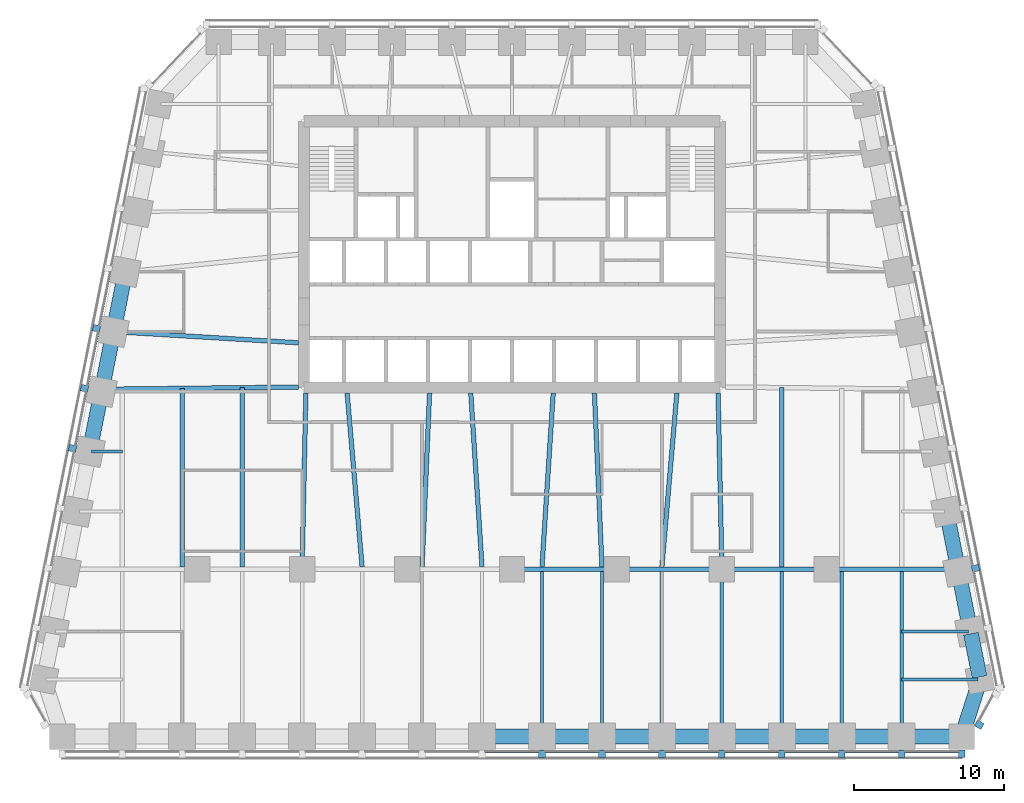
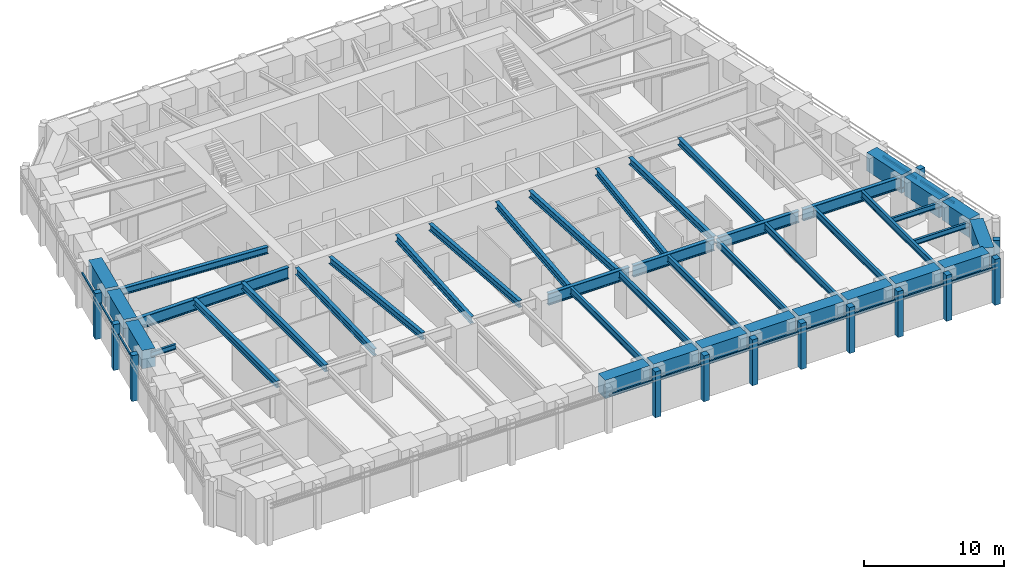
# One storey, part 2 of 10: 42 beams, 26 members, 4 elements without a shape of their own.
"""IFC4 building model written with IfcOpenShell, lengths in metres."""

from ifc_helpers import new_model, si_unit, direction, frame, origin, origin_2d, place, context, subcontext, project, spatial, rectangle, i_section, extrude, material, material_profile, profile_set, type_object, element, aggregate, save


model = new_model("IFC4")

# Units and contexts
model_context = context("Model", 3, precision=1e-05, world=origin(), true_north=direction((0.0, 1.0)))
body_context = subcontext(model_context, "Body", "Model", "MODEL_VIEW")
ifc_project = project(units=[si_unit("LENGTHUNIT", "METRE"), si_unit("AREAUNIT", "SQUARE_METRE"), si_unit("VOLUMEUNIT", "CUBIC_METRE"), si_unit("PLANEANGLEUNIT", "RADIAN"), si_unit("MASSUNIT", "GRAM", prefix="KILO")], contexts=[model_context])

# Site, building, storey
site_placement = place(None, origin())
site = spatial("IfcSite", under=ifc_project, at=site_placement, CompositionType="ELEMENT")
building_placement = place(site_placement, origin())
building = spatial("IfcBuilding", under=site, at=building_placement, Name="Isbrekke Arena Tower", CompositionType="ELEMENT")
storey_placement = place(building_placement, frame((0.0, 0.0, 151.0)))
storey = spatial("IfcBuildingStorey", under=building, at=storey_placement, Name="L34", CompositionType="ELEMENT", Elevation=151.0)

# Beams
ifc_material_1 = material(Name="Steel S355", Category="steel")
ifc_material_profile_1 = material_profile(ifc_material_1, i_section(OverallWidth=0.219970703125, OverallDepth=0.60009765625, WebThickness=0.011962890625, FlangeThickness=0.01904296875, FilletRadius=0.02392578125, at=origin_2d()), Name="IPE 600")
ifc_profile_set_1 = profile_set([ifc_material_profile_1], Name="Steel S355")
beam_type_1 = type_object("IfcBeamType", Name="B1 IPE 600", PredefinedType="BEAM", material=ifc_profile_set_1)
for number, where, z_axis, x_axis, name in (
    (1, (2.0, -17.02490234375, 3.550048828125), (0.0, 1.0, 0.0), (-1.0, 0.0, 0.0), "B1 beam S-S09 L34"),
    (2, (6.0, -17.02490234375, 3.550048828125), (0.0, 1.0, 0.0), (-1.0, 0.0, 0.0), "B1 beam S-S10 L34"),
    (3, (10.0, -17.02490234375, 3.550048828125), (0.0, 1.0, 0.0), (-1.0, 0.0, 0.0), "B1 beam S-S11 L34"),
):
    element("IfcBeam", number, at=place(storey_placement, frame(where, z_axis=z_axis, x_axis=x_axis)), inside=storey, type_object=beam_type_1, Name=name, PredefinedType="BEAM", context=body_context, shape_type="SweptSolid", body=[
        extrude(i_section(OverallWidth=0.219970703125, OverallDepth=0.60009765625, WebThickness=0.011962890625, FlangeThickness=0.01904296875, FilletRadius=0.02392578125, at=origin_2d()), origin(), (0.0, 0.0, 1.0), 10.8740234375),
    ])
beam_1_placement = place(storey_placement, frame((14.0, -17.02490234375, 3.550048828125), z_axis=(0.0, 1.0, 0.0), x_axis=(-1.0, 0.0, 0.0)))
element("IfcBeam", 4, at=beam_1_placement, inside=storey, type_object=beam_type_1, Name="B1 beam S-S12 L34", PredefinedType="BEAM", context=body_context, shape_type="SweptSolid", body=[
    extrude(i_section(OverallWidth=0.219970703125, OverallDepth=0.60009765625, WebThickness=0.011962890625, FlangeThickness=0.01904296875, FilletRadius=0.02392578125, at=origin_2d()), origin(), (0.0, 0.0, 1.0), 10.875),
])
for number, where, z_axis, x_axis, name in (
    (5, (18.0, -17.02490234375, 3.550048828125), (0.0, 1.0, 0.0), (-1.0, 0.0, 0.0), "B1 beam S-S13 L34"),
    (6, (22.0, -17.02490234375, 3.550048828125), (0.0, 1.0, 0.0), (-1.0, 0.0, 0.0), "B1 beam S-S14 L34"),
    (7, (26.0, -17.02490234375, 3.550048828125), (0.0, 1.0, 0.0), (-1.0, 0.0, 0.0), "B1 beam S-S15 L34"),
):
    element("IfcBeam", number, at=place(storey_placement, frame(where, z_axis=z_axis, x_axis=x_axis)), inside=storey, type_object=beam_type_1, Name=name, PredefinedType="BEAM", context=body_context, shape_type="SweptSolid", body=[
        extrude(i_section(OverallWidth=0.219970703125, OverallDepth=0.60009765625, WebThickness=0.011962890625, FlangeThickness=0.01904296875, FilletRadius=0.02392578125, at=origin_2d()), origin(), (0.0, 0.0, 1.0), 10.8740234375),
    ])
ifc_material_2 = material(Name="Steel S355", Category="steel")
ifc_material_profile_2 = material_profile(ifc_material_2, i_section(OverallWidth=0.18994140625, OverallDepth=0.449951171875, WebThickness=0.009521484375, FlangeThickness=0.0146484375, FilletRadius=0.02099609375, at=origin_2d()), Name="IPE 450")
ifc_profile_set_2 = profile_set([ifc_material_profile_2], Name="Steel S355")
beam_type_2 = type_object("IfcBeamType", Name="B2 IPE 450", PredefinedType="BEAM", material=ifc_profile_set_2)
beam_2_placement = place(storey_placement, frame((31.079345703125, -13.352783203125, 3.625), z_axis=(-1.0, 0.0, 0.0), x_axis=(0.0, -1.0, 0.0)))
element("IfcBeam", 8, at=beam_2_placement, inside=storey, type_object=beam_type_2, Name="B2 beam E-E01 L34", PredefinedType="BEAM", context=body_context, shape_type="SweptSolid", body=[
    extrude(i_section(OverallWidth=0.18994140625, OverallDepth=0.449951171875, WebThickness=0.009521484375, FlangeThickness=0.0146484375, FilletRadius=0.02099609375, at=origin_2d()), origin(), (0.0, 0.0, 1.0), 5.079345703125),
])
beam_3_placement = place(storey_placement, frame((30.44091796875, -10.161865234375, 3.625), z_axis=(-1.0, 0.0, 0.0), x_axis=(0.0, -1.0, 0.0)))
element("IfcBeam", 9, at=beam_3_placement, inside=storey, type_object=beam_type_2, Name="B2 beam E-E02 L34", PredefinedType="BEAM", context=body_context, shape_type="SweptSolid", body=[
    extrude(i_section(OverallWidth=0.18994140625, OverallDepth=0.449951171875, WebThickness=0.009521484375, FlangeThickness=0.0146484375, FilletRadius=0.02099609375, at=origin_2d()), origin(), (0.0, 0.0, 1.0), 4.44091796875),
])
beam_4_placement = place(storey_placement, frame((-28.041015625, 1.838134765625, 3.625), z_axis=(1.0, 0.0, 0.0), x_axis=(0.0, 1.0, 0.0)))
element("IfcBeam", 10, at=beam_4_placement, inside=storey, type_object=beam_type_2, Name="B2 beam E-W07 L34", PredefinedType="BEAM", context=body_context, shape_type="SweptSolid", body=[
    extrude(i_section(OverallWidth=0.18994140625, OverallDepth=0.449951171875, WebThickness=0.009521484375, FlangeThickness=0.0146484375, FilletRadius=0.02099609375, at=origin_2d()), origin(), (0.0, 0.0, 1.0), 2.041015625),
])
ifc_material_3 = material(Name="Steel S355", Category="steel")
ifc_material_profile_3 = material_profile(ifc_material_3, i_section(OverallWidth=0.300048828125, OverallDepth=0.60009765625, WebThickness=0.015380859375, FlangeThickness=0.030029296875, FilletRadius=0.027099609375, at=origin_2d()), Name="HEB 600")
ifc_profile_set_3 = profile_set([ifc_material_profile_3], Name="Steel S355")
beam_type_3 = type_object("IfcBeamType", Name="B7 HEB 600", PredefinedType="BEAM", material=ifc_profile_set_3)
beam_5_placement = place(storey_placement, frame((-22.0, -5.84912109375, 3.550048828125), z_axis=(0.0, 1.0, 0.0), x_axis=(-1.0, 0.0, 0.0)))
element("IfcBeam", 11, at=beam_5_placement, inside=storey, type_object=beam_type_3, Name="B7 beam C-M02 L34", PredefinedType="BEAM", context=body_context, shape_type="SweptSolid", body=[
    extrude(i_section(OverallWidth=0.300048828125, OverallDepth=0.60009765625, WebThickness=0.015380859375, FlangeThickness=0.030029296875, FilletRadius=0.027099609375, at=origin_2d()), origin(), (0.0, 0.0, 1.0), 11.91064453125),
])
beam_6_placement = place(storey_placement, frame((-18.0, -5.84912109375, 3.550048828125), z_axis=(0.0, 1.0, 0.0), x_axis=(-1.0, 0.0, 0.0)))
element("IfcBeam", 12, at=beam_6_placement, inside=storey, type_object=beam_type_3, Name="B7 beam C-M03 L34", PredefinedType="BEAM", context=body_context, shape_type="SweptSolid", body=[
    extrude(i_section(OverallWidth=0.300048828125, OverallDepth=0.60009765625, WebThickness=0.015380859375, FlangeThickness=0.030029296875, FilletRadius=0.027099609375, at=origin_2d()), origin(), (0.0, 0.0, 1.0), 11.956298828125),
])
beam_7_placement = place(storey_placement, frame((-14.0, -5.8466796875, 3.550048828125), z_axis=(0.021552887044, 0.999767709551, 0.0), x_axis=(-0.999767709551, 0.021552887044, 0.0)))
element("IfcBeam", 13, at=beam_7_placement, inside=storey, type_object=beam_type_3, Name="B7 beam C-M04 L34", PredefinedType="BEAM", context=body_context, shape_type="SweptSolid", body=[
    extrude(i_section(OverallWidth=0.300048828125, OverallDepth=0.60009765625, WebThickness=0.015380859375, FlangeThickness=0.030029296875, FilletRadius=0.027099609375, at=origin_2d()), origin(), (0.0, 0.0, 1.0), 11.599365234375),
])
beam_8_placement = place(storey_placement, frame((-10.001220703125, -5.836181640625, 3.550048828125), z_axis=(-0.085885827104, 0.996304985786, 0.0), x_axis=(-0.996304985786, -0.085885827104, 0.0)))
element("IfcBeam", 14, at=beam_8_placement, inside=storey, type_object=beam_type_3, Name="B7 beam C-M05 L34", PredefinedType="BEAM", context=body_context, shape_type="SweptSolid", body=[
    extrude(i_section(OverallWidth=0.300048828125, OverallDepth=0.60009765625, WebThickness=0.015380859375, FlangeThickness=0.030029296875, FilletRadius=0.027099609375, at=origin_2d()), origin(), (0.0, 0.0, 1.0), 11.629150390625),
])
beam_9_placement = place(storey_placement, frame((-5.999755859375, -5.842529296875, 3.550048828125), z_axis=(0.043070161667, 0.999072050041, 0.0), x_axis=(-0.999072050041, 0.043070161667, 0.0)))
element("IfcBeam", 15, at=beam_9_placement, inside=storey, type_object=beam_type_3, Name="B7 beam C-M06 L34", PredefinedType="BEAM", context=body_context, shape_type="SweptSolid", body=[
    extrude(i_section(OverallWidth=0.300048828125, OverallDepth=0.60009765625, WebThickness=0.015380859375, FlangeThickness=0.030029296875, FilletRadius=0.027099609375, at=origin_2d()), origin(), (0.0, 0.0, 1.0), 11.603271484375),
])
for number, where, z_axis, x_axis, name in (
    (16, (-2.000732421875, -5.83935546875, 3.550048828125), (-0.064516666031, 0.997916629686, 0.0), (-0.997916629686, -0.064516666031, 0.0), "B7 beam C-M07 L34"),
    (17, (2.000732421875, -5.83935546875, 3.550048828125), (0.064516666031, 0.997916629686, 0.0), (-0.997916629686, 0.064516666031, 0.0), "B7 beam C-M08 L34"),
):
    element("IfcBeam", number, at=place(storey_placement, frame(where, z_axis=z_axis, x_axis=x_axis)), inside=storey, type_object=beam_type_3, Name=name, PredefinedType="BEAM", context=body_context, shape_type="SweptSolid", body=[
        extrude(i_section(OverallWidth=0.300048828125, OverallDepth=0.60009765625, WebThickness=0.015380859375, FlangeThickness=0.030029296875, FilletRadius=0.027099609375, at=origin_2d()), origin(), (0.0, 0.0, 1.0), 11.613525390625),
    ])
beam_10_placement = place(storey_placement, frame((5.999755859375, -5.842529296875, 3.550048828125), z_axis=(-0.043070161667, 0.999072050041, 0.0), x_axis=(-0.999072050041, -0.043070161667, 0.0)))
element("IfcBeam", 18, at=beam_10_placement, inside=storey, type_object=beam_type_3, Name="B7 beam C-M09 L34", PredefinedType="BEAM", context=body_context, shape_type="SweptSolid", body=[
    extrude(i_section(OverallWidth=0.300048828125, OverallDepth=0.60009765625, WebThickness=0.015380859375, FlangeThickness=0.030029296875, FilletRadius=0.027099609375, at=origin_2d()), origin(), (0.0, 0.0, 1.0), 11.603271484375),
])
beam_11_placement = place(storey_placement, frame((10.001220703125, -5.836181640625, 3.550048828125), z_axis=(0.085885827104, 0.996304985786, 0.0), x_axis=(-0.996304985786, 0.085885827104, 0.0)))
element("IfcBeam", 19, at=beam_11_placement, inside=storey, type_object=beam_type_3, Name="B7 beam C-M10 L34", PredefinedType="BEAM", context=body_context, shape_type="SweptSolid", body=[
    extrude(i_section(OverallWidth=0.300048828125, OverallDepth=0.60009765625, WebThickness=0.015380859375, FlangeThickness=0.030029296875, FilletRadius=0.027099609375, at=origin_2d()), origin(), (0.0, 0.0, 1.0), 11.629150390625),
])
beam_12_placement = place(storey_placement, frame((14.0, -5.8466796875, 3.550048828125), z_axis=(-0.021552887044, 0.999767709551, 0.0), x_axis=(-0.999767709551, -0.021552887044, 0.0)))
element("IfcBeam", 20, at=beam_12_placement, inside=storey, type_object=beam_type_3, Name="B7 beam C-M11 L34", PredefinedType="BEAM", context=body_context, shape_type="SweptSolid", body=[
    extrude(i_section(OverallWidth=0.300048828125, OverallDepth=0.60009765625, WebThickness=0.015380859375, FlangeThickness=0.030029296875, FilletRadius=0.027099609375, at=origin_2d()), origin(), (0.0, 0.0, 1.0), 11.599365234375),
])
beam_13_placement = place(storey_placement, frame((18.0, -5.84912109375, 3.550048828125), z_axis=(0.0, 1.0, 0.0), x_axis=(-1.0, 0.0, 0.0)))
element("IfcBeam", 21, at=beam_13_placement, inside=storey, type_object=beam_type_3, Name="B7 beam C-M12 L34", PredefinedType="BEAM", context=body_context, shape_type="SweptSolid", body=[
    extrude(i_section(OverallWidth=0.300048828125, OverallDepth=0.60009765625, WebThickness=0.015380859375, FlangeThickness=0.030029296875, FilletRadius=0.027099609375, at=origin_2d()), origin(), (0.0, 0.0, 1.0), 11.956298828125),
])
beam_14_placement = place(storey_placement, frame((-26.431884765625, 9.837646484375, 3.550048828125), z_axis=(0.998172191876, -0.060434057993, 0.0), x_axis=(0.060434057993, 0.998172191876, 0.0)))
element("IfcBeam", 22, at=beam_14_placement, inside=storey, type_object=beam_type_3, Name="B7 beam E-W05 L34", PredefinedType="BEAM", context=body_context, shape_type="SweptSolid", body=[
    extrude(i_section(OverallWidth=0.300048828125, OverallDepth=0.60009765625, WebThickness=0.015380859375, FlangeThickness=0.030029296875, FilletRadius=0.027099609375, at=origin_2d()), origin(), (0.0, 0.0, 1.0), 12.2041015625),
])

# Curtain wall, members
ifc_material_4 = material(Name="Glazed aluminium curtain wall", Category="aluminium")
curtain_wall_type = type_object("IfcCurtainWallType", Name="CWM TOWER CURTAIN WALL MID ZONE", PredefinedType="USERDEFINED", material=ifc_material_4)
curtain_wall_1_placement = place(storey_placement, origin())
curtain_wall_1 = element("IfcCurtainWall", 23, at=curtain_wall_1_placement, inside=storey, type_object=curtain_wall_type, Name="CWM curtain wall L34-S", ObjectType="TOWER CURTAIN WALL MID ZONE", PredefinedType="USERDEFINED")
ifc_material_5 = material(Name="Aluminium mullion, pale brick slip cladding", Category="masonry")
ifc_material_profile_4 = material_profile(ifc_material_5, rectangle(XDim=0.449951171875, YDim=0.5, at=origin_2d()), Name="PIER 450X500")
ifc_profile_set_4 = profile_set([ifc_material_profile_4], Name="Aluminium mullion, pale brick slip cladding")
member_type_1 = type_object("IfcMemberType", Name="CWM-M PIER MULLION 450 x 500", PredefinedType="MULLION", material=ifc_profile_set_4)
member_1_placement = place(storey_placement, frame((2.0, -18.324951171875, 0.0), z_axis=(0.0, 0.0, 1.0), x_axis=(1.0, 0.0, 0.0)))
member_1 = element("IfcMember", 24, at=member_1_placement, type_object=member_type_1, Name="CWM-M mullion 9", PredefinedType="MULLION", context=body_context, shape_type="SweptSolid", body=[
    extrude(rectangle(XDim=0.449951171875, YDim=0.5, at=origin_2d()), origin(), (0.0, 0.0, 1.0), 4.0),
])
member_2_placement = place(storey_placement, frame((6.0, -18.324951171875, 0.0), z_axis=(0.0, 0.0, 1.0), x_axis=(1.0, 0.0, 0.0)))
member_2 = element("IfcMember", 25, at=member_2_placement, type_object=member_type_1, Name="CWM-M mullion 10", PredefinedType="MULLION", context=body_context, shape_type="SweptSolid", body=[
    extrude(rectangle(XDim=0.449951171875, YDim=0.5, at=origin_2d()), origin(), (0.0, 0.0, 1.0), 4.0),
])
member_3_placement = place(storey_placement, frame((10.0, -18.324951171875, 0.0), z_axis=(0.0, 0.0, 1.0), x_axis=(1.0, 0.0, 0.0)))
member_3 = element("IfcMember", 26, at=member_3_placement, type_object=member_type_1, Name="CWM-M mullion 11", PredefinedType="MULLION", context=body_context, shape_type="SweptSolid", body=[
    extrude(rectangle(XDim=0.449951171875, YDim=0.5, at=origin_2d()), origin(), (0.0, 0.0, 1.0), 4.0),
])
member_4_placement = place(storey_placement, frame((14.0, -18.324951171875, 0.0), z_axis=(0.0, 0.0, 1.0), x_axis=(1.0, 0.0, 0.0)))
member_4 = element("IfcMember", 27, at=member_4_placement, type_object=member_type_1, Name="CWM-M mullion 12", PredefinedType="MULLION", context=body_context, shape_type="SweptSolid", body=[
    extrude(rectangle(XDim=0.449951171875, YDim=0.5, at=origin_2d()), origin(), (0.0, 0.0, 1.0), 4.0),
])
member_5_placement = place(storey_placement, frame((18.0, -18.324951171875, 0.0), z_axis=(0.0, 0.0, 1.0), x_axis=(1.0, 0.0, 0.0)))
member_5 = element("IfcMember", 28, at=member_5_placement, type_object=member_type_1, Name="CWM-M mullion 13", PredefinedType="MULLION", context=body_context, shape_type="SweptSolid", body=[
    extrude(rectangle(XDim=0.449951171875, YDim=0.5, at=origin_2d()), origin(), (0.0, 0.0, 1.0), 4.0),
])
member_6_placement = place(storey_placement, frame((22.0, -18.324951171875, 0.0), z_axis=(0.0, 0.0, 1.0), x_axis=(1.0, 0.0, 0.0)))
member_6 = element("IfcMember", 29, at=member_6_placement, type_object=member_type_1, Name="CWM-M mullion 14", PredefinedType="MULLION", context=body_context, shape_type="SweptSolid", body=[
    extrude(rectangle(XDim=0.449951171875, YDim=0.5, at=origin_2d()), origin(), (0.0, 0.0, 1.0), 4.0),
])
member_7_placement = place(storey_placement, frame((26.0, -18.324951171875, 0.0), z_axis=(0.0, 0.0, 1.0), x_axis=(1.0, 0.0, 0.0)))
member_7 = element("IfcMember", 30, at=member_7_placement, type_object=member_type_1, Name="CWM-M mullion 15", PredefinedType="MULLION", context=body_context, shape_type="SweptSolid", body=[
    extrude(rectangle(XDim=0.449951171875, YDim=0.5, at=origin_2d()), origin(), (0.0, 0.0, 1.0), 4.0),
])
member_8_placement = place(storey_placement, frame((30.0, -18.324951171875, 0.0), z_axis=(0.0, 0.0, 1.0), x_axis=(1.0, 0.0, 0.0)))
member_8 = element("IfcMember", 31, at=member_8_placement, type_object=member_type_1, Name="CWM-M mullion 16", PredefinedType="MULLION", context=body_context, shape_type="SweptSolid", body=[
    extrude(rectangle(XDim=0.449951171875, YDim=0.5, at=origin_2d()), origin(), (0.0, 0.0, 1.0), 4.0),
])

# Curtain wall, member
curtain_wall_2_placement = place(storey_placement, origin())
curtain_wall_2 = element("IfcCurtainWall", 32, at=curtain_wall_2_placement, inside=storey, type_object=curtain_wall_type, Name="CWM curtain wall L34-SE", ObjectType="TOWER CURTAIN WALL MID ZONE", PredefinedType="USERDEFINED")
member_9_placement = place(storey_placement, frame((31.17529296875, -16.382080078125, 0.0), z_axis=(0.0, 0.0, 1.0), x_axis=(0.481918749773, 0.876215908676, 0.0)))
member_9 = element("IfcMember", 33, at=member_9_placement, type_object=member_type_1, Name="CWM-M mullion 1", PredefinedType="MULLION", context=body_context, shape_type="SweptSolid", body=[
    extrude(rectangle(XDim=0.449951171875, YDim=0.5, at=origin_2d()), origin(), (0.0, 0.0, 1.0), 4.0),
])
aggregate(curtain_wall_2, [member_9])

curtain_wall_3_placement = place(storey_placement, origin())
curtain_wall_3 = element("IfcCurtainWall", 34, at=curtain_wall_3_placement, inside=storey, type_object=curtain_wall_type, Name="CWM curtain wall L34-E", ObjectType="TOWER CURTAIN WALL MID ZONE", PredefinedType="USERDEFINED")
member_10_placement = place(storey_placement, frame((30.918701171875, -5.936279296875, 0.0), z_axis=(0.0, 0.0, 1.0), x_axis=(-0.196116135138, 0.980580675691, 0.0)))
member_10 = element("IfcMember", 35, at=member_10_placement, type_object=member_type_1, Name="CWM-M mullion 3", PredefinedType="MULLION", context=body_context, shape_type="SweptSolid", body=[
    extrude(rectangle(XDim=0.449951171875, YDim=0.5, at=origin_2d()), origin(), (0.0, 0.0, 1.0), 4.0),
])

# Curtain wall, members
curtain_wall_4_placement = place(storey_placement, origin())
curtain_wall_4 = element("IfcCurtainWall", 36, at=curtain_wall_4_placement, inside=storey, type_object=curtain_wall_type, Name="CWM curtain wall L34-W", ObjectType="TOWER CURTAIN WALL MID ZONE", PredefinedType="USERDEFINED")
member_11_placement = place(storey_placement, frame((-27.71875, 10.063720703125, 0.0), z_axis=(0.0, 0.0, 1.0), x_axis=(-0.196116135138, -0.980580675691, 0.0)))
member_11 = element("IfcMember", 37, at=member_11_placement, type_object=member_type_1, Name="CWM-M mullion 5", PredefinedType="MULLION", context=body_context, shape_type="SweptSolid", body=[
    extrude(rectangle(XDim=0.449951171875, YDim=0.5, at=origin_2d()), origin(), (0.0, 0.0, 1.0), 4.0),
])
member_12_placement = place(storey_placement, frame((-28.518798828125, 6.063720703125, 0.0), z_axis=(0.0, 0.0, 1.0), x_axis=(-0.196116135138, -0.980580675691, 0.0)))
member_12 = element("IfcMember", 38, at=member_12_placement, type_object=member_type_1, Name="CWM-M mullion 6", PredefinedType="MULLION", context=body_context, shape_type="SweptSolid", body=[
    extrude(rectangle(XDim=0.449951171875, YDim=0.5, at=origin_2d()), origin(), (0.0, 0.0, 1.0), 4.0),
])
member_13_placement = place(storey_placement, frame((-29.318603515625, 2.063720703125, 0.0), z_axis=(0.0, 0.0, 1.0), x_axis=(-0.196116135138, -0.980580675691, 0.0)))
member_13 = element("IfcMember", 39, at=member_13_placement, type_object=member_type_1, Name="CWM-M mullion 7", PredefinedType="MULLION", context=body_context, shape_type="SweptSolid", body=[
    extrude(rectangle(XDim=0.449951171875, YDim=0.5, at=origin_2d()), origin(), (0.0, 0.0, 1.0), 4.0),
])

# Member
ifc_material_6 = material(Name="Aluminium transom", Category="aluminium")
ifc_material_profile_5 = material_profile(ifc_material_6, rectangle(XDim=0.1201171875, YDim=0.199951171875, at=origin_2d()), Name="TRANSOM 120X200")
ifc_profile_set_5 = profile_set([ifc_material_profile_5], Name="Aluminium transom")
member_type_2 = type_object("IfcMemberType", Name="CWM-T TRANSOM 120 x 200", PredefinedType="USERDEFINED", material=ifc_profile_set_5)
member_14_placement = place(storey_placement, frame((-1.77490234375, -18.175048828125, 3.0), z_axis=(1.0, 0.0, 0.0), x_axis=(0.0, 1.0, 0.0)))
member_14 = element("IfcMember", 40, at=member_14_placement, type_object=member_type_2, Name="CWM-T transom 8", ObjectType="TRANSOM", PredefinedType="USERDEFINED", context=body_context, shape_type="SweptSolid", body=[
    extrude(rectangle(XDim=0.1201171875, YDim=0.199951171875, at=origin_2d()), origin(), (0.0, 0.0, 1.0), 3.5498046875),
])

member_15_placement = place(storey_placement, frame((2.22509765625, -18.175048828125, 3.0), z_axis=(1.0, 0.0, 0.0), x_axis=(0.0, 1.0, 0.0)))
member_15 = element("IfcMember", 41, at=member_15_placement, type_object=member_type_2, Name="CWM-T transom 9", ObjectType="TRANSOM", PredefinedType="USERDEFINED", context=body_context, shape_type="SweptSolid", body=[
    extrude(rectangle(XDim=0.1201171875, YDim=0.199951171875, at=origin_2d()), origin(), (0.0, 0.0, 1.0), 3.5498046875),
])

member_16_placement = place(storey_placement, frame((6.22509765625, -18.175048828125, 3.0), z_axis=(1.0, 0.0, 0.0), x_axis=(0.0, 1.0, 0.0)))
member_16 = element("IfcMember", 42, at=member_16_placement, type_object=member_type_2, Name="CWM-T transom 10", ObjectType="TRANSOM", PredefinedType="USERDEFINED", context=body_context, shape_type="SweptSolid", body=[
    extrude(rectangle(XDim=0.1201171875, YDim=0.199951171875, at=origin_2d()), origin(), (0.0, 0.0, 1.0), 3.5498046875),
])

member_17_placement = place(storey_placement, frame((10.22509765625, -18.175048828125, 3.0), z_axis=(1.0, 0.0, 0.0), x_axis=(0.0, 1.0, 0.0)))
member_17 = element("IfcMember", 43, at=member_17_placement, type_object=member_type_2, Name="CWM-T transom 11", ObjectType="TRANSOM", PredefinedType="USERDEFINED", context=body_context, shape_type="SweptSolid", body=[
    extrude(rectangle(XDim=0.1201171875, YDim=0.199951171875, at=origin_2d()), origin(), (0.0, 0.0, 1.0), 3.5498046875),
])

member_18_placement = place(storey_placement, frame((14.22509765625, -18.175048828125, 3.0), z_axis=(1.0, 0.0, 0.0), x_axis=(0.0, 1.0, 0.0)))
member_18 = element("IfcMember", 44, at=member_18_placement, type_object=member_type_2, Name="CWM-T transom 12", ObjectType="TRANSOM", PredefinedType="USERDEFINED", context=body_context, shape_type="SweptSolid", body=[
    extrude(rectangle(XDim=0.1201171875, YDim=0.199951171875, at=origin_2d()), origin(), (0.0, 0.0, 1.0), 3.5498046875),
])

member_19_placement = place(storey_placement, frame((18.22509765625, -18.175048828125, 3.0), z_axis=(1.0, 0.0, 0.0), x_axis=(0.0, 1.0, 0.0)))
member_19 = element("IfcMember", 45, at=member_19_placement, type_object=member_type_2, Name="CWM-T transom 13", ObjectType="TRANSOM", PredefinedType="USERDEFINED", context=body_context, shape_type="SweptSolid", body=[
    extrude(rectangle(XDim=0.1201171875, YDim=0.199951171875, at=origin_2d()), origin(), (0.0, 0.0, 1.0), 3.5498046875),
])

member_20_placement = place(storey_placement, frame((22.22509765625, -18.175048828125, 3.0), z_axis=(1.0, 0.0, 0.0), x_axis=(0.0, 1.0, 0.0)))
member_20 = element("IfcMember", 46, at=member_20_placement, type_object=member_type_2, Name="CWM-T transom 14", ObjectType="TRANSOM", PredefinedType="USERDEFINED", context=body_context, shape_type="SweptSolid", body=[
    extrude(rectangle(XDim=0.1201171875, YDim=0.199951171875, at=origin_2d()), origin(), (0.0, 0.0, 1.0), 3.5498046875),
])

member_21_placement = place(storey_placement, frame((26.22509765625, -18.175048828125, 3.0), z_axis=(1.0, 0.0, 0.0), x_axis=(0.0, 1.0, 0.0)))
member_21 = element("IfcMember", 47, at=member_21_placement, type_object=member_type_2, Name="CWM-T transom 15", ObjectType="TRANSOM", PredefinedType="USERDEFINED", context=body_context, shape_type="SweptSolid", body=[
    extrude(rectangle(XDim=0.1201171875, YDim=0.199951171875, at=origin_2d()), origin(), (0.0, 0.0, 1.0), 3.5498046875),
])

aggregate(curtain_wall_1, [member_1, member_2, member_3, member_4, member_5, member_6, member_7, member_8, member_14, member_15, member_16, member_17, member_18, member_19, member_20, member_21])

member_22_placement = place(storey_placement, frame((31.527587890625, -9.7451171875, 3.0), z_axis=(-0.196154943734, 0.980572913173, 0.0), x_axis=(-0.980572913173, -0.196154943734, 0.0)))
member_22 = element("IfcMember", 48, at=member_22_placement, type_object=member_type_2, Name="CWM-T transom 2", ObjectType="TRANSOM", PredefinedType="USERDEFINED", context=body_context, shape_type="SweptSolid", body=[
    extrude(rectangle(XDim=0.1201171875, YDim=0.199951171875, at=origin_2d()), origin(), (0.0, 0.0, 1.0), 3.62939453125),
])

member_23_placement = place(storey_placement, frame((30.7275390625, -5.7451171875, 3.0), z_axis=(-0.196154943734, 0.980572913173, 0.0), x_axis=(-0.980572913173, -0.196154943734, 0.0)))
member_23 = element("IfcMember", 49, at=member_23_placement, type_object=member_type_2, Name="CWM-T transom 3", ObjectType="TRANSOM", PredefinedType="USERDEFINED", context=body_context, shape_type="SweptSolid", body=[
    extrude(rectangle(XDim=0.1201171875, YDim=0.199951171875, at=origin_2d()), origin(), (0.0, 0.0, 1.0), 3.62939453125),
])

aggregate(curtain_wall_3, [member_10, member_22, member_23])

member_24_placement = place(storey_placement, frame((-26.815673828125, 13.813720703125, 3.0), z_axis=(-0.196154943734, -0.980572913173, 0.0), x_axis=(0.980572913173, -0.196154943734, 0.0)))
member_24 = element("IfcMember", 50, at=member_24_placement, type_object=member_type_2, Name="CWM-T transom 4", ObjectType="TRANSOM", PredefinedType="USERDEFINED", context=body_context, shape_type="SweptSolid", body=[
    extrude(rectangle(XDim=0.1201171875, YDim=0.199951171875, at=origin_2d()), origin(), (0.0, 0.0, 1.0), 3.62939453125),
])

member_25_placement = place(storey_placement, frame((-27.61572265625, 9.813720703125, 3.0), z_axis=(-0.196090262229, -0.980585849918, 0.0), x_axis=(0.980585849918, -0.196090262229, 0.0)))
member_25 = element("IfcMember", 51, at=member_25_placement, type_object=member_type_2, Name="CWM-T transom 5", ObjectType="TRANSOM", PredefinedType="USERDEFINED", context=body_context, shape_type="SweptSolid", body=[
    extrude(rectangle(XDim=0.1201171875, YDim=0.199951171875, at=origin_2d()), origin(), (0.0, 0.0, 1.0), 3.62939453125),
])

member_26_placement = place(storey_placement, frame((-28.415771484375, 5.813720703125, 3.0), z_axis=(-0.196090262229, -0.980585849918, 0.0), x_axis=(0.980585849918, -0.196090262229, 0.0)))
member_26 = element("IfcMember", 52, at=member_26_placement, type_object=member_type_2, Name="CWM-T transom 6", ObjectType="TRANSOM", PredefinedType="USERDEFINED", context=body_context, shape_type="SweptSolid", body=[
    extrude(rectangle(XDim=0.1201171875, YDim=0.199951171875, at=origin_2d()), origin(), (0.0, 0.0, 1.0), 3.62939453125),
])

aggregate(curtain_wall_4, [member_11, member_12, member_13, member_24, member_25, member_26])

# Beams
ifc_material_7 = material(Name="Steel S355", Category="steel")
ifc_material_profile_6 = material_profile(ifc_material_7, i_section(OverallWidth=0.302001953125, OverallDepth=1.008056640625, WebThickness=0.02099609375, FlangeThickness=0.0400390625, FilletRadius=0.030029296875, at=origin_2d()), Name="HEM 1000")
ifc_profile_set_6 = profile_set([ifc_material_profile_6], Name="Steel S355")
beam_type_4 = type_object("IfcBeamType", Name="G1 HEM 1000", PredefinedType="BEAM", material=ifc_profile_set_6)
for number, where, z_axis, x_axis, name in (
    (53, (0.14990234375, -6.0, 3.345947265625), (1.0, 0.0, 0.0), (0.0, 1.0, 0.0), "G1 beam G1-05 L34"),
    (54, (7.14990234375, -6.0, 3.345947265625), (1.0, 0.0, 0.0), (0.0, 1.0, 0.0), "G1 beam G1-06 L34"),
    (55, (14.14990234375, -6.0, 3.345947265625), (1.0, 0.0, 0.0), (0.0, 1.0, 0.0), "G1 beam G1-07 L34"),
):
    element("IfcBeam", number, at=place(storey_placement, frame(where, z_axis=z_axis, x_axis=x_axis)), inside=storey, type_object=beam_type_4, Name=name, PredefinedType="BEAM", context=body_context, shape_type="SweptSolid", body=[
        extrude(i_section(OverallWidth=0.302001953125, OverallDepth=1.008056640625, WebThickness=0.02099609375, FlangeThickness=0.0400390625, FilletRadius=0.030029296875, at=origin_2d()), origin(), (0.0, 0.0, 1.0), 6.7001953125),
    ])
beam_15_placement = place(storey_placement, frame((21.14990234375, -6.0, 3.345947265625), z_axis=(1.0, 0.0, 0.0), x_axis=(0.0, 1.0, 0.0)))
element("IfcBeam", 56, at=beam_15_placement, inside=storey, type_object=beam_type_4, Name="G1 beam G1-08 L34", PredefinedType="BEAM", context=body_context, shape_type="SweptSolid", body=[
    extrude(i_section(OverallWidth=0.302001953125, OverallDepth=1.008056640625, WebThickness=0.02099609375, FlangeThickness=0.0400390625, FilletRadius=0.030029296875, at=origin_2d()), origin(), (0.0, 0.0, 1.0), 8.64111328125),
])
ifc_material_8 = material(Name="Steel S355", Category="steel")
ifc_material_profile_7 = material_profile(ifc_material_8, i_section(OverallWidth=0.302001953125, OverallDepth=1.008056640625, WebThickness=0.02099609375, FlangeThickness=0.0400390625, FilletRadius=0.030029296875, at=origin_2d()), Name="HEM 1000")
ifc_profile_set_7 = profile_set([ifc_material_profile_7], Name="Steel S355")
beam_type_5 = type_object("IfcBeamType", Name="G2 HEM 1000", PredefinedType="BEAM", material=ifc_profile_set_7)
beam_16_placement = place(storey_placement, frame((-14.25, 6.14990234375, 3.345947265625), z_axis=(-0.999934928157, -0.011407867963, 0.0), x_axis=(0.011407867963, -0.999934928157, 0.0)))
element("IfcBeam", 57, at=beam_16_placement, inside=storey, type_object=beam_type_5, Name="G2 beam G2-W L34", PredefinedType="BEAM", context=body_context, shape_type="SweptSolid", body=[
    extrude(i_section(OverallWidth=0.302001953125, OverallDepth=1.008056640625, WebThickness=0.02099609375, FlangeThickness=0.0400390625, FilletRadius=0.030029296875, at=origin_2d()), origin(), (0.0, 0.0, 1.0), 13.140380859375),
])
ifc_material_9 = material(Name="Concrete B80 (C80/95)", Category="concrete")
ifc_material_profile_8 = material_profile(ifc_material_9, rectangle(XDim=1.0, YDim=1.60009765625, at=origin_2d()), Name="RC 1000x1600")
ifc_profile_set_8 = profile_set([ifc_material_profile_8], Name="Concrete B80 (C80/95)")
beam_type_6 = type_object("IfcBeamType", Name="SB2 RC 1000 x 1600", PredefinedType="SPANDREL", material=ifc_profile_set_8)
for number, where, z_axis, x_axis, name in (
    (58, (-1.85009765625, -17.175048828125, 3.199951171875), (1.0, 0.0, 0.0), (0.0, 1.0, 0.0), "SB2 spandrel S08-S09 L34"),
    (59, (2.14990234375, -17.175048828125, 3.199951171875), (1.0, 0.0, 0.0), (0.0, 1.0, 0.0), "SB2 spandrel S09-S10 L34"),
    (60, (6.14990234375, -17.175048828125, 3.199951171875), (1.0, 0.0, 0.0), (0.0, 1.0, 0.0), "SB2 spandrel S10-S11 L34"),
    (61, (10.14990234375, -17.175048828125, 3.199951171875), (1.0, 0.0, 0.0), (0.0, 1.0, 0.0), "SB2 spandrel S11-S12 L34"),
    (62, (14.14990234375, -17.175048828125, 3.199951171875), (1.0, 0.0, 0.0), (0.0, 1.0, 0.0), "SB2 spandrel S12-S13 L34"),
    (63, (18.14990234375, -17.175048828125, 3.199951171875), (1.0, 0.0, 0.0), (0.0, 1.0, 0.0), "SB2 spandrel S13-S14 L34"),
    (64, (22.14990234375, -17.175048828125, 3.199951171875), (1.0, 0.0, 0.0), (0.0, 1.0, 0.0), "SB2 spandrel S14-S15 L34"),
    (65, (26.14990234375, -17.175048828125, 3.199951171875), (1.0, 0.0, 0.0), (0.0, 1.0, 0.0), "SB2 spandrel S15-S16 L34"),
):
    element("IfcBeam", number, at=place(storey_placement, frame(where, z_axis=z_axis, x_axis=x_axis)), inside=storey, type_object=beam_type_6, Name=name, PredefinedType="SPANDREL", context=body_context, shape_type="SweptSolid", body=[
        extrude(rectangle(XDim=1.0, YDim=1.60009765625, at=origin_2d()), origin(), (0.0, 0.0, 1.0), 3.7001953125),
    ])
beam_17_placement = place(storey_placement, frame((30.0458984375, -17.0322265625, 3.199951171875), z_axis=(0.306175101476, 0.951975213562, 0.0), x_axis=(-0.951975213562, 0.306175101476, 0.0)))
element("IfcBeam", 66, at=beam_17_placement, inside=storey, type_object=beam_type_6, Name="SB2 spandrel S16-E01 L34", PredefinedType="SPANDREL", context=body_context, shape_type="SweptSolid", body=[
    extrude(rectangle(XDim=1.0, YDim=1.60009765625, at=origin_2d()), origin(), (0.0, 0.0, 1.0), 3.715087890625),
])
beam_18_placement = place(storey_placement, frame((31.19970703125, -13.205810546875, 3.199951171875), z_axis=(-0.196100243168, 0.980583853951, 0.0), x_axis=(-0.980583853951, -0.196100243168, 0.0)))
element("IfcBeam", 67, at=beam_18_placement, inside=storey, type_object=beam_type_6, Name="SB2 spandrel E01-E02 L34", PredefinedType="SPANDREL", context=body_context, shape_type="SweptSolid", body=[
    extrude(rectangle(XDim=1.0, YDim=1.60009765625, at=origin_2d()), origin(), (0.0, 0.0, 1.0), 2.954345703125),
])
beam_19_placement = place(storey_placement, frame((30.5615234375, -10.0146484375, 3.199951171875), z_axis=(-0.1960664412, 0.980590613169, 0.0), x_axis=(-0.980590613169, -0.1960664412, 0.0)))
element("IfcBeam", 68, at=beam_19_placement, inside=storey, type_object=beam_type_6, Name="SB2 spandrel E02-E03 L34", PredefinedType="SPANDREL", context=body_context, shape_type="SweptSolid", body=[
    extrude(rectangle(XDim=1.0, YDim=1.60009765625, at=origin_2d()), origin(), (0.0, 0.0, 1.0), 3.779052734375),
])
beam_20_placement = place(storey_placement, frame((29.76171875, -6.0146484375, 3.199951171875), z_axis=(-0.196128558387, 0.980578190959, 0.0), x_axis=(-0.980578190959, -0.196128558387, 0.0)))
element("IfcBeam", 69, at=beam_20_placement, inside=storey, type_object=beam_type_6, Name="SB2 spandrel E03-E04 L34", PredefinedType="SPANDREL", context=body_context, shape_type="SweptSolid", body=[
    extrude(rectangle(XDim=1.0, YDim=1.60009765625, at=origin_2d()), origin(), (0.0, 0.0, 1.0), 3.779296875),
])
beam_21_placement = place(storey_placement, frame((-25.820556640625, 13.691162109375, 3.199951171875), z_axis=(-0.1960664412, -0.980590613169, 0.0), x_axis=(0.980590613169, -0.1960664412, 0.0)))
element("IfcBeam", 70, at=beam_21_placement, inside=storey, type_object=beam_type_6, Name="SB2 spandrel W04-W05 L34", PredefinedType="SPANDREL", context=body_context, shape_type="SweptSolid", body=[
    extrude(rectangle(XDim=1.0, YDim=1.60009765625, at=origin_2d()), origin(), (0.0, 0.0, 1.0), 3.779052734375),
])
for number, where, z_axis, x_axis, name in (
    (71, (-26.620361328125, 9.691162109375, 3.199951171875), (-0.196128558387, -0.980578190959, 0.0), (0.980578190959, -0.196128558387, 0.0), "SB2 spandrel W05-W06 L34"),
    (72, (-27.42041015625, 5.691162109375, 3.199951171875), (-0.196128558387, -0.980578190959, 0.0), (0.980578190959, -0.196128558387, 0.0), "SB2 spandrel W06-W07 L34"),
):
    element("IfcBeam", number, at=place(storey_placement, frame(where, z_axis=z_axis, x_axis=x_axis)), inside=storey, type_object=beam_type_6, Name=name, PredefinedType="SPANDREL", context=body_context, shape_type="SweptSolid", body=[
        extrude(rectangle(XDim=1.0, YDim=1.60009765625, at=origin_2d()), origin(), (0.0, 0.0, 1.0), 3.779296875),
    ])

save(model, "model.ifc")
